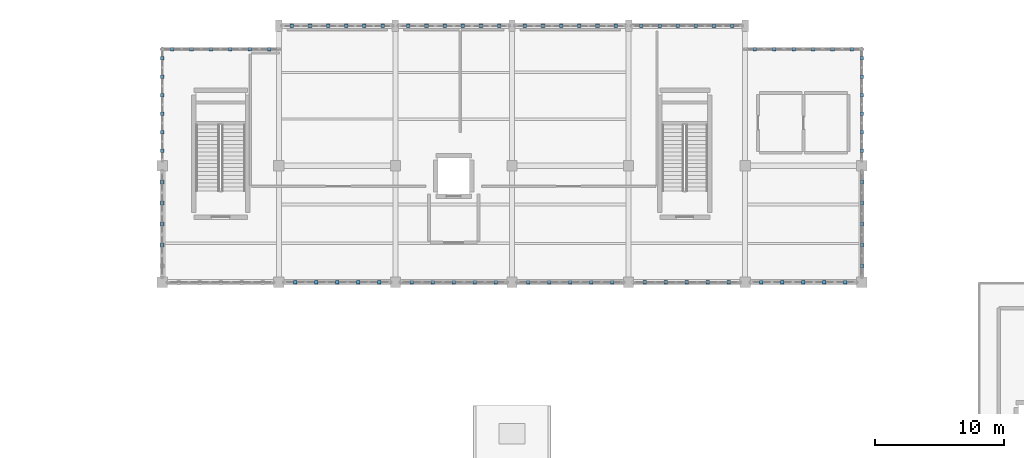
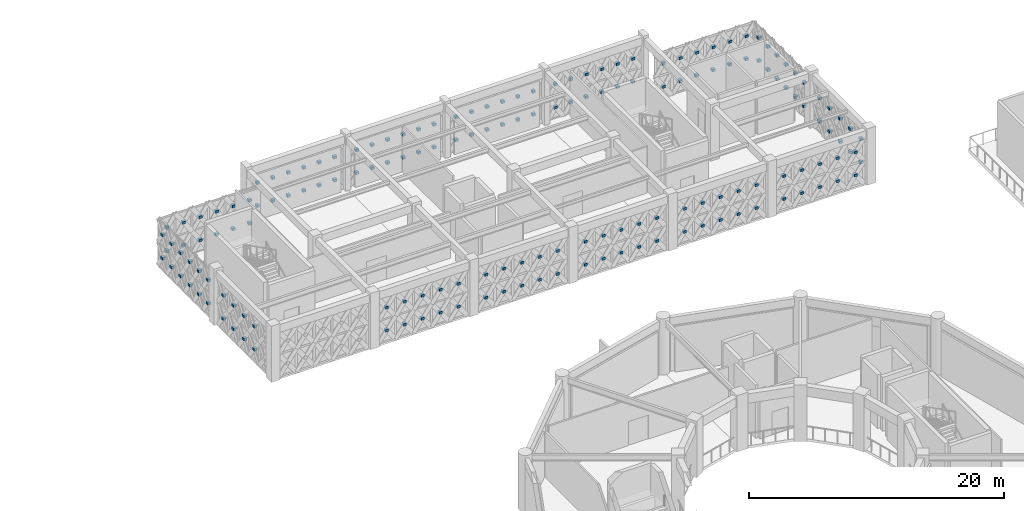
# One storey, part 78 of 86: 164 discrete accessories.
"""IFC4 building model written with IfcOpenShell, lengths in metres."""

from ifc_helpers import new_model, si_unit, direction, frame, origin, origin_2d, place, context, subcontext, project, spatial, rectangle, extrude, material, type_object, element, save


model = new_model("IFC4")

# Units and contexts
model_context = context("Model", 3, precision=1e-05, world=origin(), true_north=direction((0.0, 1.0)))
body_context = subcontext(model_context, "Body", "Model", "MODEL_VIEW")
ifc_project = project(units=[si_unit("LENGTHUNIT", "METRE"), si_unit("AREAUNIT", "SQUARE_METRE"), si_unit("VOLUMEUNIT", "CUBIC_METRE"), si_unit("PLANEANGLEUNIT", "RADIAN"), si_unit("MASSUNIT", "GRAM", prefix="KILO")], contexts=[model_context])

# Site, building, storey
site_placement = place(None, origin())
site = spatial("IfcSite", under=ifc_project, at=site_placement, CompositionType="ELEMENT")
building_placement = place(site_placement, origin())
building = spatial("IfcBuilding", under=site, at=building_placement, Name="Haizhuo Lancet Aquarium", CompositionType="ELEMENT")
storey_placement = place(building_placement, frame((0.0, 0.0, 16.199951171875)))
storey = spatial("IfcBuildingStorey", under=building, at=storey_placement, Name="L03", CompositionType="ELEMENT", Elevation=16.199951171875)

# Discrete accessories
ifc_material = material(Name="Steel S355", Category="steel")
discrete_accessory_type = type_object("IfcDiscreteAccessoryType", Name="ACC-END-CAP", PredefinedType="BRACKET", material=ifc_material)
for number, where, z_axis, x_axis, name in (
    (1, (-26.25, 54.0, 0.9892578125), (0.0, 0.0, 1.0), (1.0, 0.0, 0.0), "L03 X-brace crossing gusset plate XN-CW-V5-L03-160-LB01B1"),
    (2, (-26.25, 54.0, 3.2060546875), (0.0, 0.0, 1.0), (1.0, 0.0, 0.0), "L03 X-brace crossing gusset plate XN-CW-V5-L03-160-LB02B1"),
    (3, (-24.75, 54.0, 0.9892578125), (0.0, 0.0, 1.0), (1.0, 0.0, 0.0), "L03 X-brace crossing gusset plate XN-CW-V5-L03-160-LB03B1"),
    (4, (-24.75, 54.0, 3.2060546875), (0.0, 0.0, 1.0), (1.0, 0.0, 0.0), "L03 X-brace crossing gusset plate XN-CW-V5-L03-160-LB04B1"),
    (5, (-23.25, 54.0, 0.9892578125), (0.0, 0.0, 1.0), (1.0, 0.0, 0.0), "L03 X-brace crossing gusset plate XN-CW-V5-L03-160-LB05B1"),
    (6, (-23.25, 54.0, 3.2060546875), (0.0, 0.0, 1.0), (1.0, 0.0, 0.0), "L03 X-brace crossing gusset plate XN-CW-V5-L03-160-LB06B1"),
    (7, (-21.75, 54.0, 0.9892578125), (0.0, 0.0, 1.0), (1.0, 0.0, 0.0), "L03 X-brace crossing gusset plate XN-CW-V5-L03-160-LB07B1"),
    (8, (-21.75, 54.0, 3.2060546875), (0.0, 0.0, 1.0), (1.0, 0.0, 0.0), "L03 X-brace crossing gusset plate XN-CW-V5-L03-160-LB08B1"),
    (9, (-20.25, 54.0, 0.9892578125), (0.0, 0.0, 1.0), (1.0, 0.0, 0.0), "L03 X-brace crossing gusset plate XN-CW-V5-L03-160-LB09B1"),
    (10, (-20.25, 54.0, 3.2060546875), (0.0, 0.0, 1.0), (1.0, 0.0, 0.0), "L03 X-brace crossing gusset plate XN-CW-V5-L03-160-LB10B1"),
    (11, (-18.75, 54.0, 0.9892578125), (0.0, 0.0, 1.0), (1.0, 0.0, 0.0), "L03 X-brace crossing gusset plate XN-CW-V5-L03-160-LB11B1"),
    (12, (-18.75, 54.0, 3.2060546875), (0.0, 0.0, 1.0), (1.0, 0.0, 0.0), "L03 X-brace crossing gusset plate XN-CW-V5-L03-160-LB12B1"),
    (13, (-17.00390625, 55.800048828125, 0.97998046875), (0.0, 0.0, 1.0), (1.0, 0.0, 0.0), "L03 X-brace crossing gusset plate XN-CW-V5-L03-161-LB01B1"),
    (14, (-17.00390625, 55.800048828125, 3.18017578125), (0.0, 0.0, 1.0), (1.0, 0.0, 0.0), "L03 X-brace crossing gusset plate XN-CW-V5-L03-161-LB02B1"),
    (15, (-15.60205078125, 55.800048828125, 0.97998046875), (0.0, 0.0, 1.0), (1.0, 0.0, 0.0), "L03 X-brace crossing gusset plate XN-CW-V5-L03-161-LB03B1"),
    (16, (-15.60205078125, 55.800048828125, 3.18017578125), (0.0, 0.0, 1.0), (1.0, 0.0, 0.0), "L03 X-brace crossing gusset plate XN-CW-V5-L03-161-LB04B1"),
    (17, (-14.200927734375, 55.800048828125, 0.97998046875), (0.0, 0.0, 1.0), (1.0, 0.0, 0.0), "L03 X-brace crossing gusset plate XN-CW-V5-L03-161-LB05B1"),
    (18, (-14.200927734375, 55.800048828125, 3.18017578125), (0.0, 0.0, 1.0), (1.0, 0.0, 0.0), "L03 X-brace crossing gusset plate XN-CW-V5-L03-161-LB06B1"),
    (19, (-12.799072265625, 55.800048828125, 0.97998046875), (0.0, 0.0, 1.0), (1.0, 0.0, 0.0), "L03 X-brace crossing gusset plate XN-CW-V5-L03-161-LB07B1"),
    (20, (-12.799072265625, 55.800048828125, 3.18017578125), (0.0, 0.0, 1.0), (1.0, 0.0, 0.0), "L03 X-brace crossing gusset plate XN-CW-V5-L03-161-LB08B1"),
    (21, (-11.39794921875, 55.800048828125, 0.97998046875), (0.0, 0.0, 1.0), (1.0, 0.0, 0.0), "L03 X-brace crossing gusset plate XN-CW-V5-L03-161-LB09B1"),
    (22, (-11.39794921875, 55.800048828125, 3.18017578125), (0.0, 0.0, 1.0), (1.0, 0.0, 0.0), "L03 X-brace crossing gusset plate XN-CW-V5-L03-161-LB10B1"),
    (23, (-9.99609375, 55.800048828125, 0.97998046875), (0.0, 0.0, 1.0), (1.0, 0.0, 0.0), "L03 X-brace crossing gusset plate XN-CW-V5-L03-161-LB11B1"),
    (24, (-9.99609375, 55.800048828125, 3.18017578125), (0.0, 0.0, 1.0), (1.0, 0.0, 0.0), "L03 X-brace crossing gusset plate XN-CW-V5-L03-161-LB12B1"),
    (25, (-8.00390625, 55.800048828125, 0.97998046875), (0.0, 0.0, 1.0), (1.0, 0.0, 0.0), "L03 X-brace crossing gusset plate XN-CW-V5-L03-162-LB01B1"),
    (26, (-8.00390625, 55.800048828125, 3.18017578125), (0.0, 0.0, 1.0), (1.0, 0.0, 0.0), "L03 X-brace crossing gusset plate XN-CW-V5-L03-162-LB02B1"),
    (27, (-6.60302734375, 55.800048828125, 0.97998046875), (0.0, 0.0, 1.0), (1.0, 0.0, 0.0), "L03 X-brace crossing gusset plate XN-CW-V5-L03-162-LB03B1"),
    (28, (-6.60302734375, 55.800048828125, 3.18017578125), (0.0, 0.0, 1.0), (1.0, 0.0, 0.0), "L03 X-brace crossing gusset plate XN-CW-V5-L03-162-LB04B1"),
    (29, (-5.200927734375, 55.800048828125, 0.97998046875), (0.0, 0.0, 1.0), (1.0, 0.0, 0.0), "L03 X-brace crossing gusset plate XN-CW-V5-L03-162-LB05B1"),
    (30, (-5.200927734375, 55.800048828125, 3.18017578125), (0.0, 0.0, 1.0), (1.0, 0.0, 0.0), "L03 X-brace crossing gusset plate XN-CW-V5-L03-162-LB06B1"),
    (31, (-3.799072265625, 55.800048828125, 0.97998046875), (0.0, 0.0, 1.0), (1.0, 0.0, 0.0), "L03 X-brace crossing gusset plate XN-CW-V5-L03-162-LB07B1"),
    (32, (-3.799072265625, 55.800048828125, 3.18017578125), (0.0, 0.0, 1.0), (1.0, 0.0, 0.0), "L03 X-brace crossing gusset plate XN-CW-V5-L03-162-LB08B1"),
    (33, (-2.39697265625, 55.800048828125, 0.97998046875), (0.0, 0.0, 1.0), (1.0, 0.0, 0.0), "L03 X-brace crossing gusset plate XN-CW-V5-L03-162-LB09B1"),
    (34, (-2.39697265625, 55.800048828125, 3.18017578125), (0.0, 0.0, 1.0), (1.0, 0.0, 0.0), "L03 X-brace crossing gusset plate XN-CW-V5-L03-162-LB10B1"),
    (35, (-0.99609375, 55.800048828125, 0.97998046875), (0.0, 0.0, 1.0), (1.0, 0.0, 0.0), "L03 X-brace crossing gusset plate XN-CW-V5-L03-162-LB11B1"),
    (36, (-0.99609375, 55.800048828125, 3.18017578125), (0.0, 0.0, 1.0), (1.0, 0.0, 0.0), "L03 X-brace crossing gusset plate XN-CW-V5-L03-162-LB12B1"),
    (37, (0.99609375, 55.800048828125, 0.97998046875), (0.0, 0.0, 1.0), (1.0, 0.0, 0.0), "L03 X-brace crossing gusset plate XN-CW-V5-L03-163-LB01B1"),
    (38, (0.99609375, 55.800048828125, 3.18017578125), (0.0, 0.0, 1.0), (1.0, 0.0, 0.0), "L03 X-brace crossing gusset plate XN-CW-V5-L03-163-LB02B1"),
    (39, (2.39697265625, 55.800048828125, 0.97998046875), (0.0, 0.0, 1.0), (1.0, 0.0, 0.0), "L03 X-brace crossing gusset plate XN-CW-V5-L03-163-LB03B1"),
    (40, (2.39697265625, 55.800048828125, 3.18017578125), (0.0, 0.0, 1.0), (1.0, 0.0, 0.0), "L03 X-brace crossing gusset plate XN-CW-V5-L03-163-LB04B1"),
    (41, (3.799072265625, 55.800048828125, 0.97998046875), (0.0, 0.0, 1.0), (1.0, 0.0, 0.0), "L03 X-brace crossing gusset plate XN-CW-V5-L03-163-LB05B1"),
    (42, (3.799072265625, 55.800048828125, 3.18017578125), (0.0, 0.0, 1.0), (1.0, 0.0, 0.0), "L03 X-brace crossing gusset plate XN-CW-V5-L03-163-LB06B1"),
    (43, (5.200927734375, 55.800048828125, 0.97998046875), (0.0, 0.0, 1.0), (1.0, 0.0, 0.0), "L03 X-brace crossing gusset plate XN-CW-V5-L03-163-LB07B1"),
    (44, (5.200927734375, 55.800048828125, 3.18017578125), (0.0, 0.0, 1.0), (1.0, 0.0, 0.0), "L03 X-brace crossing gusset plate XN-CW-V5-L03-163-LB08B1"),
    (45, (6.60302734375, 55.800048828125, 0.97998046875), (0.0, 0.0, 1.0), (1.0, 0.0, 0.0), "L03 X-brace crossing gusset plate XN-CW-V5-L03-163-LB09B1"),
    (46, (6.60302734375, 55.800048828125, 3.18017578125), (0.0, 0.0, 1.0), (1.0, 0.0, 0.0), "L03 X-brace crossing gusset plate XN-CW-V5-L03-163-LB10B1"),
    (47, (8.00390625, 55.800048828125, 0.97998046875), (0.0, 0.0, 1.0), (1.0, 0.0, 0.0), "L03 X-brace crossing gusset plate XN-CW-V5-L03-163-LB11B1"),
    (48, (8.00390625, 55.800048828125, 3.18017578125), (0.0, 0.0, 1.0), (1.0, 0.0, 0.0), "L03 X-brace crossing gusset plate XN-CW-V5-L03-163-LB12B1"),
    (49, (9.99609375, 55.800048828125, 0.97998046875), (0.0, 0.0, 1.0), (1.0, 0.0, 0.0), "L03 X-brace crossing gusset plate XN-CW-V5-L03-164-LB01B1"),
    (50, (9.99609375, 55.800048828125, 3.18017578125), (0.0, 0.0, 1.0), (1.0, 0.0, 0.0), "L03 X-brace crossing gusset plate XN-CW-V5-L03-164-LB02B1"),
    (51, (11.39794921875, 55.800048828125, 0.97998046875), (0.0, 0.0, 1.0), (1.0, 0.0, 0.0), "L03 X-brace crossing gusset plate XN-CW-V5-L03-164-LB03B1"),
    (52, (11.39794921875, 55.800048828125, 3.18017578125), (0.0, 0.0, 1.0), (1.0, 0.0, 0.0), "L03 X-brace crossing gusset plate XN-CW-V5-L03-164-LB04B1"),
    (53, (12.799072265625, 55.800048828125, 0.97998046875), (0.0, 0.0, 1.0), (1.0, 0.0, 0.0), "L03 X-brace crossing gusset plate XN-CW-V5-L03-164-LB05B1"),
    (54, (12.799072265625, 55.800048828125, 3.18017578125), (0.0, 0.0, 1.0), (1.0, 0.0, 0.0), "L03 X-brace crossing gusset plate XN-CW-V5-L03-164-LB06B1"),
    (55, (14.200927734375, 55.800048828125, 0.97998046875), (0.0, 0.0, 1.0), (1.0, 0.0, 0.0), "L03 X-brace crossing gusset plate XN-CW-V5-L03-164-LB07B1"),
    (56, (14.200927734375, 55.800048828125, 3.18017578125), (0.0, 0.0, 1.0), (1.0, 0.0, 0.0), "L03 X-brace crossing gusset plate XN-CW-V5-L03-164-LB08B1"),
    (57, (15.60205078125, 55.800048828125, 0.97998046875), (0.0, 0.0, 1.0), (1.0, 0.0, 0.0), "L03 X-brace crossing gusset plate XN-CW-V5-L03-164-LB09B1"),
    (58, (15.60205078125, 55.800048828125, 3.18017578125), (0.0, 0.0, 1.0), (1.0, 0.0, 0.0), "L03 X-brace crossing gusset plate XN-CW-V5-L03-164-LB10B1"),
    (59, (17.00390625, 55.800048828125, 0.97998046875), (0.0, 0.0, 1.0), (1.0, 0.0, 0.0), "L03 X-brace crossing gusset plate XN-CW-V5-L03-164-LB11B1"),
    (60, (17.00390625, 55.800048828125, 3.18017578125), (0.0, 0.0, 1.0), (1.0, 0.0, 0.0), "L03 X-brace crossing gusset plate XN-CW-V5-L03-164-LB12B1"),
    (61, (18.75, 54.0, 0.9892578125), (0.0, 0.0, 1.0), (1.0, 0.0, 0.0), "L03 X-brace crossing gusset plate XN-CW-V5-L03-165-LB01B1"),
    (62, (18.75, 54.0, 3.2060546875), (0.0, 0.0, 1.0), (1.0, 0.0, 0.0), "L03 X-brace crossing gusset plate XN-CW-V5-L03-165-LB02B1"),
    (63, (20.25, 54.0, 0.9892578125), (0.0, 0.0, 1.0), (1.0, 0.0, 0.0), "L03 X-brace crossing gusset plate XN-CW-V5-L03-165-LB03B1"),
    (64, (20.25, 54.0, 3.2060546875), (0.0, 0.0, 1.0), (1.0, 0.0, 0.0), "L03 X-brace crossing gusset plate XN-CW-V5-L03-165-LB04B1"),
    (65, (21.75, 54.0, 0.9892578125), (0.0, 0.0, 1.0), (1.0, 0.0, 0.0), "L03 X-brace crossing gusset plate XN-CW-V5-L03-165-LB05B1"),
    (66, (21.75, 54.0, 3.2060546875), (0.0, 0.0, 1.0), (1.0, 0.0, 0.0), "L03 X-brace crossing gusset plate XN-CW-V5-L03-165-LB06B1"),
    (67, (23.25, 54.0, 0.9892578125), (0.0, 0.0, 1.0), (1.0, 0.0, 0.0), "L03 X-brace crossing gusset plate XN-CW-V5-L03-165-LB07B1"),
    (68, (23.25, 54.0, 3.2060546875), (0.0, 0.0, 1.0), (1.0, 0.0, 0.0), "L03 X-brace crossing gusset plate XN-CW-V5-L03-165-LB08B1"),
    (69, (24.75, 54.0, 0.9892578125), (0.0, 0.0, 1.0), (1.0, 0.0, 0.0), "L03 X-brace crossing gusset plate XN-CW-V5-L03-165-LB09B1"),
    (70, (24.75, 54.0, 3.2060546875), (0.0, 0.0, 1.0), (1.0, 0.0, 0.0), "L03 X-brace crossing gusset plate XN-CW-V5-L03-165-LB10B1"),
    (71, (26.25, 54.0, 0.9892578125), (0.0, 0.0, 1.0), (1.0, 0.0, 0.0), "L03 X-brace crossing gusset plate XN-CW-V5-L03-165-LB11B1"),
    (72, (26.25, 54.0, 3.2060546875), (0.0, 0.0, 1.0), (1.0, 0.0, 0.0), "L03 X-brace crossing gusset plate XN-CW-V5-L03-165-LB12B1"),
    (73, (27.0, 53.287109375, 0.9921875), (0.0, 0.0, 1.0), (1.0, 0.0, 0.0), "L03 X-brace crossing gusset plate XN-CW-V5-L03-166-LB01B1"),
    (74, (27.0, 53.287109375, 3.21826171875), (0.0, 0.0, 1.0), (1.0, 0.0, 0.0), "L03 X-brace crossing gusset plate XN-CW-V5-L03-166-LB02B1"),
    (75, (27.0, 51.861083984375, 0.9921875), (0.0, 0.0, 1.0), (1.0, 0.0, 0.0), "L03 X-brace crossing gusset plate XN-CW-V5-L03-166-LB03B1"),
    (76, (27.0, 51.861083984375, 3.21826171875), (0.0, 0.0, 1.0), (1.0, 0.0, 0.0), "L03 X-brace crossing gusset plate XN-CW-V5-L03-166-LB04B1"),
    (77, (27.0, 50.43505859375, 0.9921875), (0.0, 0.0, 1.0), (1.0, 0.0, 0.0), "L03 X-brace crossing gusset plate XN-CW-V5-L03-166-LB05B1"),
    (78, (27.0, 50.43505859375, 3.21826171875), (0.0, 0.0, 1.0), (1.0, 0.0, 0.0), "L03 X-brace crossing gusset plate XN-CW-V5-L03-166-LB06B1"),
    (79, (27.0, 49.010009765625, 0.9921875), (0.0, 0.0, 1.0), (1.0, 0.0, 0.0), "L03 X-brace crossing gusset plate XN-CW-V5-L03-166-LB07B1"),
    (80, (27.0, 49.010009765625, 3.21826171875), (0.0, 0.0, 1.0), (1.0, 0.0, 0.0), "L03 X-brace crossing gusset plate XN-CW-V5-L03-166-LB08B1"),
    (81, (27.0, 47.583984375, 0.9921875), (0.0, 0.0, 1.0), (1.0, 0.0, 0.0), "L03 X-brace crossing gusset plate XN-CW-V5-L03-166-LB09B1"),
    (82, (27.0, 47.583984375, 3.21826171875), (0.0, 0.0, 1.0), (1.0, 0.0, 0.0), "L03 X-brace crossing gusset plate XN-CW-V5-L03-166-LB10B1"),
    (83, (27.0, 46.157958984375, 0.9921875), (0.0, 0.0, 1.0), (1.0, 0.0, 0.0), "L03 X-brace crossing gusset plate XN-CW-V5-L03-166-LB11B1"),
    (84, (27.0, 46.157958984375, 3.21826171875), (0.0, 0.0, 1.0), (1.0, 0.0, 0.0), "L03 X-brace crossing gusset plate XN-CW-V5-L03-166-LB12B1"),
    (85, (27.0, 43.743896484375, 0.9921875), (0.0, 0.0, 1.0), (1.0, 0.0, 0.0), "L03 X-brace crossing gusset plate XN-CW-V5-L03-167-LB01B1"),
    (86, (27.0, 43.743896484375, 3.21826171875), (0.0, 0.0, 1.0), (1.0, 0.0, 0.0), "L03 X-brace crossing gusset plate XN-CW-V5-L03-167-LB02B1"),
    (87, (27.0, 42.1220703125, 0.9921875), (0.0, 0.0, 1.0), (1.0, 0.0, 0.0), "L03 X-brace crossing gusset plate XN-CW-V5-L03-167-LB03B1"),
    (88, (27.0, 42.1220703125, 3.21826171875), (0.0, 0.0, 1.0), (1.0, 0.0, 0.0), "L03 X-brace crossing gusset plate XN-CW-V5-L03-167-LB04B1"),
    (89, (27.0, 40.5, 0.9921875), (0.0, 0.0, 1.0), (1.0, 0.0, 0.0), "L03 X-brace crossing gusset plate XN-CW-V5-L03-167-LB05B1"),
    (90, (27.0, 40.5, 3.21826171875), (0.0, 0.0, 1.0), (1.0, 0.0, 0.0), "L03 X-brace crossing gusset plate XN-CW-V5-L03-167-LB06B1"),
    (91, (27.0, 38.8779296875, 0.9921875), (0.0, 0.0, 1.0), (1.0, 0.0, 0.0), "L03 X-brace crossing gusset plate XN-CW-V5-L03-167-LB07B1"),
    (92, (27.0, 38.8779296875, 3.21826171875), (0.0, 0.0, 1.0), (1.0, 0.0, 0.0), "L03 X-brace crossing gusset plate XN-CW-V5-L03-167-LB08B1"),
    (93, (27.0, 37.256103515625, 0.9921875), (0.0, 0.0, 1.0), (1.0, 0.0, 0.0), "L03 X-brace crossing gusset plate XN-CW-V5-L03-167-LB09B1"),
    (94, (27.0, 37.256103515625, 3.21826171875), (0.0, 0.0, 1.0), (1.0, 0.0, 0.0), "L03 X-brace crossing gusset plate XN-CW-V5-L03-167-LB10B1"),
    (95, (25.743896484375, 36.0, 0.97998046875), (0.0, 0.0, 1.0), (1.0, 0.0, 0.0), "L03 X-brace crossing gusset plate XN-CW-V5-L03-168-LB01B1"),
    (96, (25.743896484375, 36.0, 3.18017578125), (0.0, 0.0, 1.0), (1.0, 0.0, 0.0), "L03 X-brace crossing gusset plate XN-CW-V5-L03-168-LB02B1"),
    (97, (24.1220703125, 36.0, 0.97998046875), (0.0, 0.0, 1.0), (1.0, 0.0, 0.0), "L03 X-brace crossing gusset plate XN-CW-V5-L03-168-LB03B1"),
    (98, (24.1220703125, 36.0, 3.18017578125), (0.0, 0.0, 1.0), (1.0, 0.0, 0.0), "L03 X-brace crossing gusset plate XN-CW-V5-L03-168-LB04B1"),
    (99, (22.5, 36.0, 0.97998046875), (0.0, 0.0, 1.0), (1.0, 0.0, 0.0), "L03 X-brace crossing gusset plate XN-CW-V5-L03-168-LB05B1"),
    (100, (22.5, 36.0, 3.18017578125), (0.0, 0.0, 1.0), (1.0, 0.0, 0.0), "L03 X-brace crossing gusset plate XN-CW-V5-L03-168-LB06B1"),
    (101, (20.8779296875, 36.0, 0.97998046875), (0.0, 0.0, 1.0), (1.0, 0.0, 0.0), "L03 X-brace crossing gusset plate XN-CW-V5-L03-168-LB07B1"),
    (102, (20.8779296875, 36.0, 3.18017578125), (0.0, 0.0, 1.0), (1.0, 0.0, 0.0), "L03 X-brace crossing gusset plate XN-CW-V5-L03-168-LB08B1"),
    (103, (19.256103515625, 36.0, 0.97998046875), (0.0, 0.0, 1.0), (1.0, 0.0, 0.0), "L03 X-brace crossing gusset plate XN-CW-V5-L03-168-LB09B1"),
    (104, (19.256103515625, 36.0, 3.18017578125), (0.0, 0.0, 1.0), (1.0, 0.0, 0.0), "L03 X-brace crossing gusset plate XN-CW-V5-L03-168-LB10B1"),
    (105, (16.743896484375, 36.0, 0.97998046875), (0.0, 0.0, 1.0), (1.0, 0.0, 0.0), "L03 X-brace crossing gusset plate XN-CW-V5-L03-169-LB01B1"),
    (106, (16.743896484375, 36.0, 3.18017578125), (0.0, 0.0, 1.0), (1.0, 0.0, 0.0), "L03 X-brace crossing gusset plate XN-CW-V5-L03-169-LB02B1"),
    (107, (15.1220703125, 36.0, 0.97998046875), (0.0, 0.0, 1.0), (1.0, 0.0, 0.0), "L03 X-brace crossing gusset plate XN-CW-V5-L03-169-LB03B1"),
    (108, (15.1220703125, 36.0, 3.18017578125), (0.0, 0.0, 1.0), (1.0, 0.0, 0.0), "L03 X-brace crossing gusset plate XN-CW-V5-L03-169-LB04B1"),
    (109, (13.5, 36.0, 0.97998046875), (0.0, 0.0, 1.0), (1.0, 0.0, 0.0), "L03 X-brace crossing gusset plate XN-CW-V5-L03-169-LB05B1"),
    (110, (13.5, 36.0, 3.18017578125), (0.0, 0.0, 1.0), (1.0, 0.0, 0.0), "L03 X-brace crossing gusset plate XN-CW-V5-L03-169-LB06B1"),
    (111, (11.8779296875, 36.0, 0.97998046875), (0.0, 0.0, 1.0), (1.0, 0.0, 0.0), "L03 X-brace crossing gusset plate XN-CW-V5-L03-169-LB07B1"),
    (112, (11.8779296875, 36.0, 3.18017578125), (0.0, 0.0, 1.0), (1.0, 0.0, 0.0), "L03 X-brace crossing gusset plate XN-CW-V5-L03-169-LB08B1"),
    (113, (10.256103515625, 36.0, 0.97998046875), (0.0, 0.0, 1.0), (1.0, 0.0, 0.0), "L03 X-brace crossing gusset plate XN-CW-V5-L03-169-LB09B1"),
    (114, (10.256103515625, 36.0, 3.18017578125), (0.0, 0.0, 1.0), (1.0, 0.0, 0.0), "L03 X-brace crossing gusset plate XN-CW-V5-L03-169-LB10B1"),
    (115, (7.743896484375, 36.0, 0.97998046875), (0.0, 0.0, 1.0), (1.0, 0.0, 0.0), "L03 X-brace crossing gusset plate XN-CW-V5-L03-170-LB01B1"),
    (116, (7.743896484375, 36.0, 3.18017578125), (0.0, 0.0, 1.0), (1.0, 0.0, 0.0), "L03 X-brace crossing gusset plate XN-CW-V5-L03-170-LB02B1"),
    (117, (6.1220703125, 36.0, 0.97998046875), (0.0, 0.0, 1.0), (1.0, 0.0, 0.0), "L03 X-brace crossing gusset plate XN-CW-V5-L03-170-LB03B1"),
    (118, (6.1220703125, 36.0, 3.18017578125), (0.0, 0.0, 1.0), (1.0, 0.0, 0.0), "L03 X-brace crossing gusset plate XN-CW-V5-L03-170-LB04B1"),
    (119, (4.5, 36.0, 0.97998046875), (0.0, 0.0, 1.0), (1.0, 0.0, 0.0), "L03 X-brace crossing gusset plate XN-CW-V5-L03-170-LB05B1"),
    (120, (4.5, 36.0, 3.18017578125), (0.0, 0.0, 1.0), (1.0, 0.0, 0.0), "L03 X-brace crossing gusset plate XN-CW-V5-L03-170-LB06B1"),
    (121, (2.8779296875, 36.0, 0.97998046875), (0.0, 0.0, 1.0), (1.0, 0.0, 0.0), "L03 X-brace crossing gusset plate XN-CW-V5-L03-170-LB07B1"),
    (122, (2.8779296875, 36.0, 3.18017578125), (0.0, 0.0, 1.0), (1.0, 0.0, 0.0), "L03 X-brace crossing gusset plate XN-CW-V5-L03-170-LB08B1"),
    (123, (1.256103515625, 36.0, 0.97998046875), (0.0, 0.0, 1.0), (1.0, 0.0, 0.0), "L03 X-brace crossing gusset plate XN-CW-V5-L03-170-LB09B1"),
    (124, (1.256103515625, 36.0, 3.18017578125), (0.0, 0.0, 1.0), (1.0, 0.0, 0.0), "L03 X-brace crossing gusset plate XN-CW-V5-L03-170-LB10B1"),
    (125, (-1.256103515625, 36.0, 0.97998046875), (0.0, 0.0, 1.0), (1.0, 0.0, 0.0), "L03 X-brace crossing gusset plate XN-CW-V5-L03-171-LB01B1"),
    (126, (-1.256103515625, 36.0, 3.18017578125), (0.0, 0.0, 1.0), (1.0, 0.0, 0.0), "L03 X-brace crossing gusset plate XN-CW-V5-L03-171-LB02B1"),
    (127, (-2.8779296875, 36.0, 0.97998046875), (0.0, 0.0, 1.0), (1.0, 0.0, 0.0), "L03 X-brace crossing gusset plate XN-CW-V5-L03-171-LB03B1"),
    (128, (-2.8779296875, 36.0, 3.18017578125), (0.0, 0.0, 1.0), (1.0, 0.0, 0.0), "L03 X-brace crossing gusset plate XN-CW-V5-L03-171-LB04B1"),
    (129, (-4.5, 36.0, 0.97998046875), (0.0, 0.0, 1.0), (1.0, 0.0, 0.0), "L03 X-brace crossing gusset plate XN-CW-V5-L03-171-LB05B1"),
    (130, (-4.5, 36.0, 3.18017578125), (0.0, 0.0, 1.0), (1.0, 0.0, 0.0), "L03 X-brace crossing gusset plate XN-CW-V5-L03-171-LB06B1"),
    (131, (-6.1220703125, 36.0, 0.97998046875), (0.0, 0.0, 1.0), (1.0, 0.0, 0.0), "L03 X-brace crossing gusset plate XN-CW-V5-L03-171-LB07B1"),
    (132, (-6.1220703125, 36.0, 3.18017578125), (0.0, 0.0, 1.0), (1.0, 0.0, 0.0), "L03 X-brace crossing gusset plate XN-CW-V5-L03-171-LB08B1"),
    (133, (-7.743896484375, 36.0, 0.97998046875), (0.0, 0.0, 1.0), (1.0, 0.0, 0.0), "L03 X-brace crossing gusset plate XN-CW-V5-L03-171-LB09B1"),
    (134, (-7.743896484375, 36.0, 3.18017578125), (0.0, 0.0, 1.0), (1.0, 0.0, 0.0), "L03 X-brace crossing gusset plate XN-CW-V5-L03-171-LB10B1"),
    (135, (-10.256103515625, 36.0, 0.97998046875), (0.0, 0.0, 1.0), (1.0, 0.0, 0.0), "L03 X-brace crossing gusset plate XN-CW-V5-L03-172-LB01B1"),
    (136, (-10.256103515625, 36.0, 3.18017578125), (0.0, 0.0, 1.0), (1.0, 0.0, 0.0), "L03 X-brace crossing gusset plate XN-CW-V5-L03-172-LB02B1"),
    (137, (-11.8779296875, 36.0, 0.97998046875), (0.0, 0.0, 1.0), (1.0, 0.0, 0.0), "L03 X-brace crossing gusset plate XN-CW-V5-L03-172-LB03B1"),
    (138, (-11.8779296875, 36.0, 3.18017578125), (0.0, 0.0, 1.0), (1.0, 0.0, 0.0), "L03 X-brace crossing gusset plate XN-CW-V5-L03-172-LB04B1"),
    (139, (-13.5, 36.0, 0.97998046875), (0.0, 0.0, 1.0), (1.0, 0.0, 0.0), "L03 X-brace crossing gusset plate XN-CW-V5-L03-172-LB05B1"),
    (140, (-13.5, 36.0, 3.18017578125), (0.0, 0.0, 1.0), (1.0, 0.0, 0.0), "L03 X-brace crossing gusset plate XN-CW-V5-L03-172-LB06B1"),
    (141, (-15.1220703125, 36.0, 0.97998046875), (0.0, 0.0, 1.0), (1.0, 0.0, 0.0), "L03 X-brace crossing gusset plate XN-CW-V5-L03-172-LB07B1"),
    (142, (-15.1220703125, 36.0, 3.18017578125), (0.0, 0.0, 1.0), (1.0, 0.0, 0.0), "L03 X-brace crossing gusset plate XN-CW-V5-L03-172-LB08B1"),
    (143, (-16.743896484375, 36.0, 0.97998046875), (0.0, 0.0, 1.0), (1.0, 0.0, 0.0), "L03 X-brace crossing gusset plate XN-CW-V5-L03-172-LB09B1"),
    (144, (-16.743896484375, 36.0, 3.18017578125), (0.0, 0.0, 1.0), (1.0, 0.0, 0.0), "L03 X-brace crossing gusset plate XN-CW-V5-L03-172-LB10B1"),
    (145, (-27.0, 38.8779296875, 0.9921875), (0.0, 0.0, 1.0), (1.0, 0.0, 0.0), "L03 X-brace crossing gusset plate XN-CW-V5-L03-174-LB03B1"),
    (146, (-27.0, 38.8779296875, 3.21826171875), (0.0, 0.0, 1.0), (1.0, 0.0, 0.0), "L03 X-brace crossing gusset plate XN-CW-V5-L03-174-LB04B1"),
    (147, (-27.0, 40.5, 0.9921875), (0.0, 0.0, 1.0), (1.0, 0.0, 0.0), "L03 X-brace crossing gusset plate XN-CW-V5-L03-174-LB05B1"),
    (148, (-27.0, 40.5, 3.21826171875), (0.0, 0.0, 1.0), (1.0, 0.0, 0.0), "L03 X-brace crossing gusset plate XN-CW-V5-L03-174-LB06B1"),
    (149, (-27.0, 42.1220703125, 0.9921875), (0.0, 0.0, 1.0), (1.0, 0.0, 0.0), "L03 X-brace crossing gusset plate XN-CW-V5-L03-174-LB07B1"),
    (150, (-27.0, 42.1220703125, 3.21826171875), (0.0, 0.0, 1.0), (1.0, 0.0, 0.0), "L03 X-brace crossing gusset plate XN-CW-V5-L03-174-LB08B1"),
    (151, (-27.0, 43.743896484375, 0.9921875), (0.0, 0.0, 1.0), (1.0, 0.0, 0.0), "L03 X-brace crossing gusset plate XN-CW-V5-L03-174-LB09B1"),
    (152, (-27.0, 43.743896484375, 3.21826171875), (0.0, 0.0, 1.0), (1.0, 0.0, 0.0), "L03 X-brace crossing gusset plate XN-CW-V5-L03-174-LB10B1"),
    (153, (-27.0, 46.157958984375, 0.9921875), (0.0, 0.0, 1.0), (1.0, 0.0, 0.0), "L03 X-brace crossing gusset plate XN-CW-V5-L03-175-LB01B1"),
    (154, (-27.0, 46.157958984375, 3.21826171875), (0.0, 0.0, 1.0), (1.0, 0.0, 0.0), "L03 X-brace crossing gusset plate XN-CW-V5-L03-175-LB02B1"),
    (155, (-27.0, 47.583984375, 0.9921875), (0.0, 0.0, 1.0), (1.0, 0.0, 0.0), "L03 X-brace crossing gusset plate XN-CW-V5-L03-175-LB03B1"),
    (156, (-27.0, 47.583984375, 3.21826171875), (0.0, 0.0, 1.0), (1.0, 0.0, 0.0), "L03 X-brace crossing gusset plate XN-CW-V5-L03-175-LB04B1"),
    (157, (-27.0, 49.010009765625, 0.9921875), (0.0, 0.0, 1.0), (1.0, 0.0, 0.0), "L03 X-brace crossing gusset plate XN-CW-V5-L03-175-LB05B1"),
    (158, (-27.0, 49.010009765625, 3.21826171875), (0.0, 0.0, 1.0), (1.0, 0.0, 0.0), "L03 X-brace crossing gusset plate XN-CW-V5-L03-175-LB06B1"),
    (159, (-27.0, 50.43505859375, 0.9921875), (0.0, 0.0, 1.0), (1.0, 0.0, 0.0), "L03 X-brace crossing gusset plate XN-CW-V5-L03-175-LB07B1"),
    (160, (-27.0, 50.43505859375, 3.21826171875), (0.0, 0.0, 1.0), (1.0, 0.0, 0.0), "L03 X-brace crossing gusset plate XN-CW-V5-L03-175-LB08B1"),
    (161, (-27.0, 51.861083984375, 0.9921875), (0.0, 0.0, 1.0), (1.0, 0.0, 0.0), "L03 X-brace crossing gusset plate XN-CW-V5-L03-175-LB09B1"),
    (162, (-27.0, 51.861083984375, 3.21826171875), (0.0, 0.0, 1.0), (1.0, 0.0, 0.0), "L03 X-brace crossing gusset plate XN-CW-V5-L03-175-LB10B1"),
    (163, (-27.0, 53.287109375, 0.9921875), (0.0, 0.0, 1.0), (1.0, 0.0, 0.0), "L03 X-brace crossing gusset plate XN-CW-V5-L03-175-LB11B1"),
    (164, (-27.0, 53.287109375, 3.21826171875), (0.0, 0.0, 1.0), (1.0, 0.0, 0.0), "L03 X-brace crossing gusset plate XN-CW-V5-L03-175-LB12B1"),
):
    element("IfcDiscreteAccessory", number, at=place(storey_placement, frame(where, z_axis=z_axis, x_axis=x_axis)), inside=storey, type_object=discrete_accessory_type, material=ifc_material, Name=name, PredefinedType="BRACKET", context=body_context, shape_type="SweptSolid", body=[
        extrude(rectangle(XDim=0.280029296875, YDim=0.280029296875, at=origin_2d()), origin(), (0.0, 0.0, 1.0), 0.239990234375),
    ])

save(model, "model.ifc")
